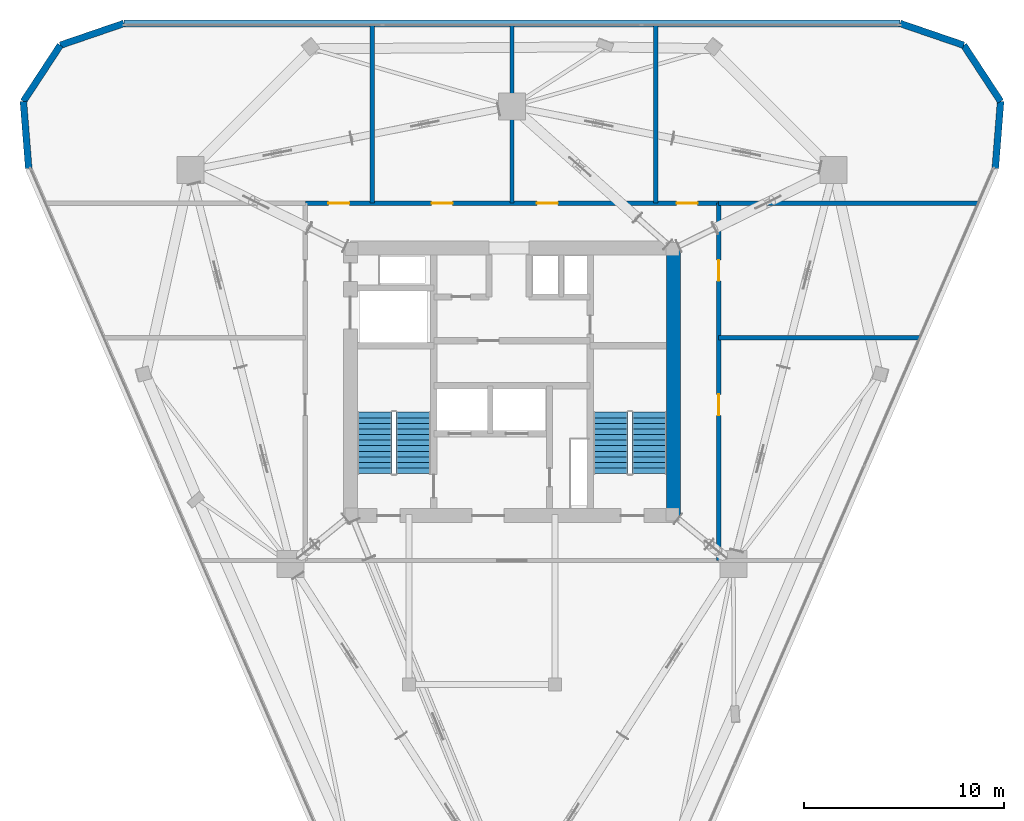
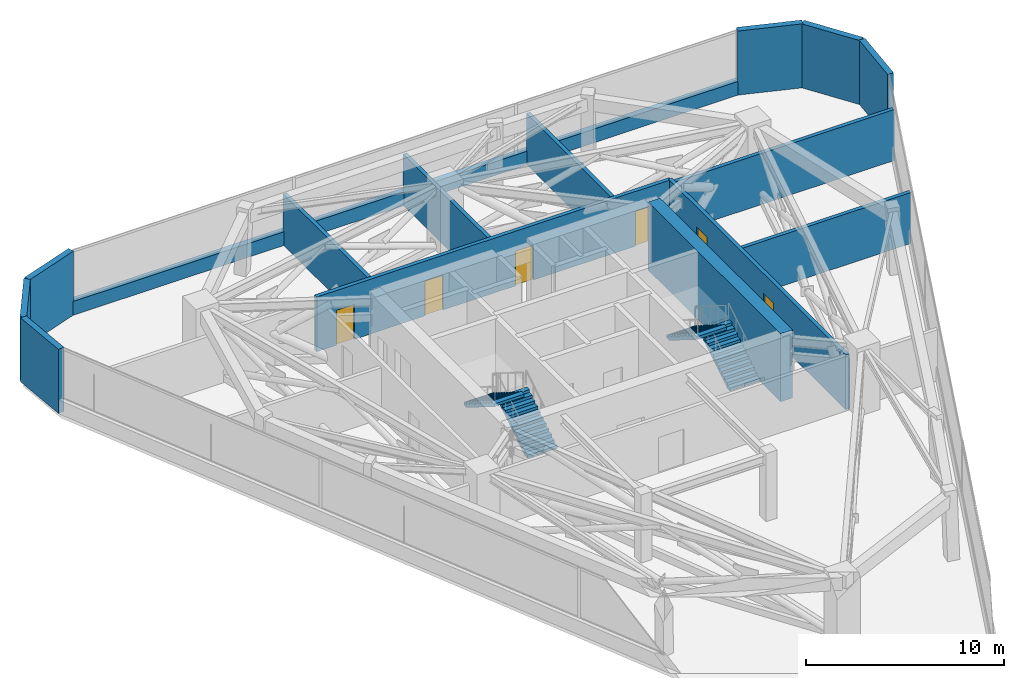
# One storey, part 11 of 12: 15 walls, 6 doors, 4 stair flights, 6 openings, 2 elements without a shape of their own.
"""IFC4 building model written with IfcOpenShell, lengths in metres."""

from ifc_helpers import new_model, si_unit, direction, frame, frame_2d, origin, place, context, subcontext, project, spatial, polyline, rectangle, outline, extrude, material, layer, layer_set, type_object, element, fill, aggregate, save


model = new_model("IFC4")

# Units and contexts
model_context = context("Model", 3, precision=1e-05, world=origin(), true_north=direction((0.0, 1.0)))
body_context = subcontext(model_context, "Body", "Model", "MODEL_VIEW")
ifc_project = project(units=[si_unit("LENGTHUNIT", "METRE"), si_unit("AREAUNIT", "SQUARE_METRE"), si_unit("VOLUMEUNIT", "CUBIC_METRE"), si_unit("PLANEANGLEUNIT", "RADIAN"), si_unit("MASSUNIT", "GRAM", prefix="KILO")], contexts=[model_context])

# Site, building, storey
site_placement = place(None, origin())
site = spatial("IfcSite", under=ifc_project, at=site_placement, CompositionType="ELEMENT")
building_placement = place(site_placement, origin())
building = spatial("IfcBuilding", under=site, at=building_placement, Name="Talyreon Biosciences Tower", CompositionType="ELEMENT")
storey_placement = place(building_placement, frame((0.0, 0.0, 227.39990234375)))
storey = spatial("IfcBuildingStorey", under=building, at=storey_placement, Name="L60", CompositionType="ELEMENT", Elevation=227.39990234375)

# Walls
ifc_material_1 = material(Name="Concrete C50/60", Category="concrete")
ifc_layer_1 = layer(ifc_material_1, 0.699951171875)
ifc_layer_set_1 = layer_set([ifc_layer_1], Name="Concrete C50/60")
wall_type_1 = type_object("IfcWallType", Name="CoreShearWall_700", PredefinedType="SHEAR", material=ifc_layer_set_1)
wall_1_placement = place(storey_placement, frame((74.10009765625, 61.300048828125, 0.0), z_axis=(0.0, 0.0, 1.0), x_axis=(0.0, 1.0, 0.0)))
element("IfcWall", 1, at=wall_1_placement, inside=storey, type_object=wall_type_1, Name="L60 Core Shear Wall E", PredefinedType="SHEAR", context=body_context, shape_type="SweptSolid", body=[
    extrude(rectangle(XDim=13.39990234375, YDim=0.699951171875, at=frame_2d((6.699951171875, 0.0))), origin(), (0.0, 0.0, 1.0), 4.2001953125),
])
ifc_material_2 = material(Name="Gypsum fireboard acoustic stud", Category="gypsum")
ifc_layer_2 = layer(ifc_material_2, 0.219970703125)
ifc_layer_set_2 = layer_set([ifc_layer_2], Name="Gypsum fireboard acoustic stud")
wall_type_2 = type_object("IfcWallType", Name="CorridorRatedPartition_220", PredefinedType="PARTITIONING", material=ifc_layer_set_2)
for number, where, z_axis, x_axis, name in (
    (2, (59.0, 76.949951171875, 0.0), (0.0, 0.0, 1.0), (0.0, 1.0, 0.0), "L60 Interior Wall IW-L60-ND1"),
    (3, (66.0, 76.949951171875, 0.0), (0.0, 0.0, 1.0), (0.0, 1.0, 0.0), "L60 Interior Wall IW-L60-ND2"),
    (4, (73.199951171875, 76.949951171875, 0.0), (0.0, 0.0, 1.0), (0.0, 1.0, 0.0), "L60 Interior Wall IW-L60-ND3"),
):
    element("IfcWall", number, at=place(storey_placement, frame(where, z_axis=z_axis, x_axis=x_axis)), inside=storey, type_object=wall_type_2, Name=name, PredefinedType="PARTITIONING", context=body_context, shape_type="SweptSolid", body=[
        extrude(rectangle(XDim=8.91650390625, YDim=0.219970703125, at=frame_2d((4.458251953125, 0.0))), origin(), (0.0, 0.0, 1.0), 3.150146484375),
    ])
wall_2_placement = place(storey_placement, frame((76.35009765625, 76.949951171875, 0.0), z_axis=(0.0, 0.0, 1.0), x_axis=(1.0, 0.0, 0.0)))
element("IfcWall", 5, at=wall_2_placement, inside=storey, type_object=wall_type_2, Name="L60 Interior Wall IW-L60-NDIV-NE", PredefinedType="PARTITIONING", context=body_context, shape_type="SweptSolid", body=[
    extrude(rectangle(XDim=13.0107421875, YDim=0.219970703125, at=frame_2d((6.50537109375, 0.0))), origin(), (0.0, 0.0, 1.0), 3.150146484375),
])
wall_3_placement = place(storey_placement, frame((76.35009765625, 70.199951171875, 0.0), z_axis=(0.0, 0.0, 1.0), x_axis=(1.0, 0.0, 0.0)))
element("IfcWall", 6, at=wall_3_placement, inside=storey, type_object=wall_type_2, Name="L60 Interior Wall IW-L60-ED1", PredefinedType="PARTITIONING", context=body_context, shape_type="SweptSolid", body=[
    extrude(rectangle(XDim=10.081298828125, YDim=0.219970703125, at=frame_2d((5.04052734375, 0.0))), origin(), (0.0, 0.0, 1.0), 3.150146484375),
])

# Wall, openings, doors
wall_4_placement = place(storey_placement, frame((76.35009765625, 59.050048828125, 0.0), z_axis=(0.0, 0.0, 1.0), x_axis=(0.0, 1.0, 0.0)))
wall_4 = element("IfcWall", 7, at=wall_4_placement, inside=storey, type_object=wall_type_2, Name="L60 Interior Wall IW-L60-PC-E", PredefinedType="PARTITIONING", context=body_context, shape_type="SweptSolid", body=[
    extrude(rectangle(XDim=17.89990234375, YDim=0.219970703125, at=frame_2d((8.949951171875, 0.0))), origin(), (0.0, 0.0, 1.0), 3.380126953125),
])
opening_1_placement = place(wall_4_placement, frame((7.264892578125, 0.0, 0.0)))
opening_1 = element("IfcOpeningElement", 8, at=opening_1_placement, cuts=wall_4, Name="Opening DR-L60-PL-EB", PredefinedType="OPENING", context=body_context, shape_type="SweptSolid", body=[
    extrude(rectangle(XDim=1.050048828125, YDim=2.14990234375, at=frame_2d((0.52490234375, 1.074951171875))), frame((0.0, 0.119873046875, 0.0), z_axis=(0.0, -1.0, 0.0), x_axis=(1.0, 0.0, 0.0)), (0.0, 0.0, 1.0), 0.239990234375),
])
opening_2_placement = place(wall_4_placement, frame((14.0, 0.0, 0.0)))
opening_2 = element("IfcOpeningElement", 9, at=opening_2_placement, cuts=wall_4, Name="Opening DR-L60-PL-EA", PredefinedType="OPENING", context=body_context, shape_type="SweptSolid", body=[
    extrude(rectangle(XDim=1.050048828125, YDim=2.14990234375, at=frame_2d((0.52490234375, 1.074951171875))), frame((0.0, 0.119873046875, 0.0), z_axis=(0.0, -1.0, 0.0), x_axis=(1.0, 0.0, 0.0)), (0.0, 0.0, 1.0), 0.239990234375),
])
ifc_material_3 = material(Name="Acoustic timber-core laboratory door", Category="wood")
door_type = type_object("IfcDoorType", Name="DryLabSingleDoor_1050x2150", OperationType="NOTDEFINED", PredefinedType="DOOR", material=ifc_material_3)
door_1_placement = place(opening_1_placement, origin())
door_1 = element("IfcDoor", 10, at=door_1_placement, inside=storey, type_object=door_type, Name="L60 Interior Door DR-L60-PL-EB", OperationType="SINGLE_SWING_RIGHT", OverallHeight=2.14990234375, OverallWidth=1.050048828125, PredefinedType="DOOR", context=body_context, shape_type="SweptSolid", body=[
    extrude(rectangle(XDim=1.050048828125, YDim=2.14990234375, at=frame_2d((0.52490234375, 1.074951171875))), frame((0.0, 0.02490234375, 0.0), z_axis=(0.0, -1.0, 0.0), x_axis=(1.0, 0.0, 0.0)), (0.0, 0.0, 1.0), 0.050048828125),
])
fill(opening_1, door_1)
door_2_placement = place(opening_2_placement, origin())
door_2 = element("IfcDoor", 11, at=door_2_placement, inside=storey, type_object=door_type, Name="L60 Interior Door DR-L60-PL-EA", OperationType="SINGLE_SWING_LEFT", OverallHeight=2.14990234375, OverallWidth=1.050048828125, PredefinedType="DOOR", context=body_context, shape_type="SweptSolid", body=[
    extrude(rectangle(XDim=1.050048828125, YDim=2.14990234375, at=frame_2d((0.52490234375, 1.074951171875))), frame((0.0, 0.02490234375, 0.0), z_axis=(0.0, -1.0, 0.0), x_axis=(1.0, 0.0, 0.0)), (0.0, 0.0, 1.0), 0.050048828125),
])
fill(opening_2, door_2)

wall_5_placement = place(storey_placement, frame((55.64990234375, 76.949951171875, 0.0), z_axis=(0.0, 0.0, 1.0), x_axis=(1.0, 0.0, 0.0)))
wall_5 = element("IfcWall", 12, at=wall_5_placement, inside=storey, type_object=wall_type_2, Name="L60 Interior Wall IW-L60-PC-N", PredefinedType="PARTITIONING", context=body_context, shape_type="SweptSolid", body=[
    extrude(rectangle(XDim=20.7001953125, YDim=0.219970703125, at=frame_2d((10.35009765625, 0.0))), origin(), (0.0, 0.0, 1.0), 3.380126953125),
])
opening_3_placement = place(wall_5_placement, frame((1.14990234375, 0.0, 0.0)))
opening_3 = element("IfcOpeningElement", 13, at=opening_3_placement, cuts=wall_5, Name="Opening DR-L60-PL-NWA", PredefinedType="OPENING", context=body_context, shape_type="SweptSolid", body=[
    extrude(rectangle(XDim=1.050048828125, YDim=2.14990234375, at=frame_2d((0.52490234375, 1.074951171875))), frame((0.0, 0.119873046875, 0.0), z_axis=(0.0, -1.0, 0.0), x_axis=(1.0, 0.0, 0.0)), (0.0, 0.0, 1.0), 0.239990234375),
])
opening_4_placement = place(wall_5_placement, frame((6.324951171875, 0.0, 0.0)))
opening_4 = element("IfcOpeningElement", 14, at=opening_4_placement, cuts=wall_5, Name="Opening DR-L60-PL-NWB", PredefinedType="OPENING", context=body_context, shape_type="SweptSolid", body=[
    extrude(rectangle(XDim=1.050048828125, YDim=2.14990234375, at=frame_2d((0.52490234375, 1.074951171875))), frame((0.0, 0.119873046875, 0.0), z_axis=(0.0, -1.0, 0.0), x_axis=(1.0, 0.0, 0.0)), (0.0, 0.0, 1.0), 0.239990234375),
])
opening_5_placement = place(wall_5_placement, frame((11.60205078125, 0.0, 0.0)))
opening_5 = element("IfcOpeningElement", 15, at=opening_5_placement, cuts=wall_5, Name="Opening DR-L60-PL-NEA", PredefinedType="OPENING", context=body_context, shape_type="SweptSolid", body=[
    extrude(rectangle(XDim=1.050048828125, YDim=2.14990234375, at=frame_2d((0.52490234375, 1.074951171875))), frame((0.0, 0.119873046875, 0.0), z_axis=(0.0, -1.0, 0.0), x_axis=(1.0, 0.0, 0.0)), (0.0, 0.0, 1.0), 0.239990234375),
])
opening_6_placement = place(wall_5_placement, frame((18.60009765625, 0.0, 0.0)))
opening_6 = element("IfcOpeningElement", 16, at=opening_6_placement, cuts=wall_5, Name="Opening DR-L60-PL-NEB", PredefinedType="OPENING", context=body_context, shape_type="SweptSolid", body=[
    extrude(rectangle(XDim=1.050048828125, YDim=2.14990234375, at=frame_2d((0.52490234375, 1.074951171875))), frame((0.0, 0.119873046875, 0.0), z_axis=(0.0, -1.0, 0.0), x_axis=(1.0, 0.0, 0.0)), (0.0, 0.0, 1.0), 0.239990234375),
])
door_3_placement = place(opening_3_placement, origin())
door_3 = element("IfcDoor", 17, at=door_3_placement, inside=storey, type_object=door_type, Name="L60 Interior Door DR-L60-PL-NWA", OperationType="SINGLE_SWING_LEFT", OverallHeight=2.14990234375, OverallWidth=1.050048828125, PredefinedType="DOOR", context=body_context, shape_type="SweptSolid", body=[
    extrude(rectangle(XDim=1.050048828125, YDim=2.14990234375, at=frame_2d((0.52490234375, 1.074951171875))), frame((0.0, 0.02490234375, 0.0), z_axis=(0.0, -1.0, 0.0), x_axis=(1.0, 0.0, 0.0)), (0.0, 0.0, 1.0), 0.050048828125),
])
fill(opening_3, door_3)
door_4_placement = place(opening_4_placement, origin())
door_4 = element("IfcDoor", 18, at=door_4_placement, inside=storey, type_object=door_type, Name="L60 Interior Door DR-L60-PL-NWB", OperationType="SINGLE_SWING_LEFT", OverallHeight=2.14990234375, OverallWidth=1.050048828125, PredefinedType="DOOR", context=body_context, shape_type="SweptSolid", body=[
    extrude(rectangle(XDim=1.050048828125, YDim=2.14990234375, at=frame_2d((0.52490234375, 1.074951171875))), frame((0.0, 0.02490234375, 0.0), z_axis=(0.0, -1.0, 0.0), x_axis=(1.0, 0.0, 0.0)), (0.0, 0.0, 1.0), 0.050048828125),
])
fill(opening_4, door_4)
door_5_placement = place(opening_5_placement, origin())
door_5 = element("IfcDoor", 19, at=door_5_placement, inside=storey, type_object=door_type, Name="L60 Interior Door DR-L60-PL-NEA", OperationType="SINGLE_SWING_RIGHT", OverallHeight=2.14990234375, OverallWidth=1.050048828125, PredefinedType="DOOR", context=body_context, shape_type="SweptSolid", body=[
    extrude(rectangle(XDim=1.050048828125, YDim=2.14990234375, at=frame_2d((0.52490234375, 1.074951171875))), frame((0.0, 0.02490234375, 0.0), z_axis=(0.0, -1.0, 0.0), x_axis=(1.0, 0.0, 0.0)), (0.0, 0.0, 1.0), 0.050048828125),
])
fill(opening_5, door_5)
door_6_placement = place(opening_6_placement, origin())
door_6 = element("IfcDoor", 20, at=door_6_placement, inside=storey, type_object=door_type, Name="L60 Interior Door DR-L60-PL-NEB", OperationType="SINGLE_SWING_LEFT", OverallHeight=2.14990234375, OverallWidth=1.050048828125, PredefinedType="DOOR", context=body_context, shape_type="SweptSolid", body=[
    extrude(rectangle(XDim=1.050048828125, YDim=2.14990234375, at=frame_2d((0.52490234375, 1.074951171875))), frame((0.0, 0.02490234375, 0.0), z_axis=(0.0, -1.0, 0.0), x_axis=(1.0, 0.0, 0.0)), (0.0, 0.0, 1.0), 0.050048828125),
])
fill(opening_6, door_6)

# Walls
ifc_material_4 = material(Name="Precast concrete C45/55", Category="concrete")
ifc_layer_3 = layer(ifc_material_4, 0.340087890625)
ifc_layer_set_3 = layer_set([ifc_layer_3], Name="Precast concrete C45/55")
wall_type_3 = type_object("IfcWallType", Name="PrecastConcreteSpandrelWall_340", PredefinedType="STANDARD", material=ifc_layer_set_3)
for number, where, z_axis, x_axis, name in (
    (21, (41.795166015625, 78.681396484375, 0.0), (0.0, 0.0, 1.0), (-0.079316248105, 0.996849503579, 0.0), "L60 Rounded-Corner Concrete Pier 01"),
    (22, (41.52783203125, 82.041259765625, 0.0), (0.0, 0.0, 1.0), (0.54858365387, 0.836095673177, 0.0), "L60 Rounded-Corner Concrete Pier 02"),
):
    element("IfcWall", number, at=place(storey_placement, frame(where, z_axis=z_axis, x_axis=x_axis)), inside=storey, type_object=wall_type_3, Name=name, PredefinedType="STANDARD", context=body_context, shape_type="SweptSolid", body=[
        extrude(rectangle(XDim=3.370361328125, YDim=0.340087890625, at=frame_2d((1.68505859375, 0.0))), origin(), (0.0, 0.0, 1.0), 3.9501953125),
    ])
wall_6_placement = place(storey_placement, frame((43.376708984375, 84.859130859375, 0.0), z_axis=(0.0, 0.0, 1.0), x_axis=(0.946036065973, 0.324061355115, 0.0)))
element("IfcWall", 23, at=wall_6_placement, inside=storey, type_object=wall_type_3, Name="L60 Rounded-Corner Concrete Pier 03", PredefinedType="STANDARD", context=body_context, shape_type="SweptSolid", body=[
    extrude(rectangle(XDim=3.37060546875, YDim=0.340087890625, at=frame_2d((1.685302734375, 0.0))), origin(), (0.0, 0.0, 1.0), 3.9501953125),
])
wall_7_placement = place(storey_placement, frame((46.5654296875, 85.951416015625, 0.0), z_axis=(0.0, 0.0, 1.0), x_axis=(1.0, 0.0, 0.0)))
element("IfcWall", 24, at=wall_7_placement, inside=storey, type_object=wall_type_3, Name="L60 Expressed Concrete Sill Wall 04", PredefinedType="STANDARD", context=body_context, shape_type="SweptSolid", body=[
    extrude(rectangle(XDim=38.869140625, YDim=0.340087890625, at=frame_2d((19.4345703125, 0.0))), origin(), (0.0, 0.0, 1.0), 0.85009765625),
])
wall_8_placement = place(storey_placement, frame((85.4345703125, 85.951416015625, 0.0), z_axis=(0.0, 0.0, 1.0), x_axis=(0.946036065973, -0.324061355115, 0.0)))
element("IfcWall", 25, at=wall_8_placement, inside=storey, type_object=wall_type_3, Name="L60 Rounded-Corner Concrete Pier 05", PredefinedType="STANDARD", context=body_context, shape_type="SweptSolid", body=[
    extrude(rectangle(XDim=3.37060546875, YDim=0.340087890625, at=frame_2d((1.685302734375, 0.0))), origin(), (0.0, 0.0, 1.0), 3.9501953125),
])
for number, where, z_axis, x_axis, name in (
    (26, (88.623291015625, 84.859130859375, 0.0), (0.0, 0.0, 1.0), (0.54858365387, -0.836095673177, 0.0), "L60 Rounded-Corner Concrete Pier 06"),
    (27, (90.47216796875, 82.041259765625, 0.0), (0.0, 0.0, 1.0), (-0.079316248105, -0.996849503579, 0.0), "L60 Rounded-Corner Concrete Pier 07"),
):
    element("IfcWall", number, at=place(storey_placement, frame(where, z_axis=z_axis, x_axis=x_axis)), inside=storey, type_object=wall_type_3, Name=name, PredefinedType="STANDARD", context=body_context, shape_type="SweptSolid", body=[
        extrude(rectangle(XDim=3.370361328125, YDim=0.340087890625, at=frame_2d((1.68505859375, 0.0))), origin(), (0.0, 0.0, 1.0), 3.9501953125),
    ])

# Stair, stair flights
ifc_material_5 = material(Name="Concrete C40/50", Category="concrete")
stair_type = type_object("IfcStairType", Name="DoglegEscapeStair_4200", PredefinedType="HALF_TURN_STAIR", material=ifc_material_5)
stair_1_placement = place(storey_placement, origin())
stair_1 = element("IfcStair", 28, at=stair_1_placement, inside=storey, type_object=stair_type, Name="L60 Core Escape Stair 1", PredefinedType="HALF_TURN_STAIR")
stair_flight_type = type_object("IfcStairFlightType", Name="PrecastStairFlight_4200", PredefinedType="STRAIGHT", material=ifc_material_5)
stair_flight_1_placement = place(storey_placement, frame((61.06005859375, 63.39990234375, 0.0), z_axis=(0.0, 0.0, 1.0), x_axis=(0.0, 1.0, 0.0)))
stair_flight_1 = element("IfcStairFlight", 29, at=stair_flight_1_placement, type_object=stair_flight_type, Name="ST-1 flight 1", NumberOfRisers=12, NumberOfTreads=11, PredefinedType="STRAIGHT", RiserHeight=0.175, TreadLength=0.28, context=body_context, shape_type="SweptSolid", body=[
    extrude(outline(polyline([(0.0, 0.0), (0.0, 0.175048828125), (0.280029296875, 0.175048828125), (0.280029296875, 0.35009765625), (0.56005859375, 0.35009765625), (0.56005859375, 0.52490234375), (0.840087890625, 0.52490234375), (0.840087890625, 0.699951171875), (1.1201171875, 0.699951171875), (1.1201171875, 0.875), (1.39990234375, 0.875), (1.39990234375, 1.050048828125), (1.679931640625, 1.050048828125), (1.679931640625, 1.22509765625), (1.9599609375, 1.22509765625), (1.9599609375, 1.39990234375), (2.239990234375, 1.39990234375), (2.239990234375, 1.574951171875), (2.52001953125, 1.574951171875), (2.52001953125, 1.75), (2.800048828125, 1.75), (2.800048828125, 1.925048828125), (3.080078125, 1.925048828125), (3.080078125, 2.10009765625), (3.080078125, 1.748291015625), (0.28271484375, 0.0), (0.0, 0.0)])), frame((0.0, 0.8701171875, 0.0), z_axis=(0.0, -1.0, 0.0), x_axis=(1.0, 0.0, 0.0)), (0.0, 0.0, 1.0), 1.739990234375),
])
stair_flight_2_placement = place(storey_placement, frame((59.1201171875, 66.47998046875, 2.10009765625), z_axis=(0.0, 0.0, 1.0), x_axis=(0.0, -1.0, 0.0)))
stair_flight_2 = element("IfcStairFlight", 30, at=stair_flight_2_placement, type_object=stair_flight_type, Name="ST-1 flight 2", NumberOfRisers=12, NumberOfTreads=11, PredefinedType="STRAIGHT", RiserHeight=0.175, TreadLength=0.28, context=body_context, shape_type="SweptSolid", body=[
    extrude(outline(polyline([(0.0, 0.0), (0.0, 0.175048828125), (0.280029296875, 0.175048828125), (0.280029296875, 0.35009765625), (0.56005859375, 0.35009765625), (0.56005859375, 0.52490234375), (0.840087890625, 0.52490234375), (0.840087890625, 0.699951171875), (1.1201171875, 0.699951171875), (1.1201171875, 0.875), (1.39990234375, 0.875), (1.39990234375, 1.050048828125), (1.679931640625, 1.050048828125), (1.679931640625, 1.22509765625), (1.9599609375, 1.22509765625), (1.9599609375, 1.39990234375), (2.239990234375, 1.39990234375), (2.239990234375, 1.574951171875), (2.52001953125, 1.574951171875), (2.52001953125, 1.75), (2.800048828125, 1.75), (2.800048828125, 1.925048828125), (3.080078125, 1.925048828125), (3.080078125, 2.10009765625), (3.080078125, 1.748291015625), (0.28271484375, 0.0), (0.0, 0.0)])), frame((0.0, 0.8701171875, 0.0), z_axis=(0.0, -1.0, 0.0), x_axis=(1.0, 0.0, 0.0)), (0.0, 0.0, 1.0), 1.739990234375),
])
aggregate(stair_1, [stair_flight_1, stair_flight_2])

stair_2_placement = place(storey_placement, origin())
stair_2 = element("IfcStair", 31, at=stair_2_placement, inside=storey, type_object=stair_type, Name="L60 Core Escape Stair 2", PredefinedType="HALF_TURN_STAIR")
stair_flight_3_placement = place(storey_placement, frame((72.8798828125, 63.39990234375, 0.0), z_axis=(0.0, 0.0, 1.0), x_axis=(0.0, 1.0, 0.0)))
stair_flight_3 = element("IfcStairFlight", 32, at=stair_flight_3_placement, type_object=stair_flight_type, Name="ST-2 flight 1", NumberOfRisers=12, NumberOfTreads=11, PredefinedType="STRAIGHT", RiserHeight=0.175, TreadLength=0.28, context=body_context, shape_type="SweptSolid", body=[
    extrude(outline(polyline([(0.0, 0.0), (0.0, 0.175048828125), (0.280029296875, 0.175048828125), (0.280029296875, 0.35009765625), (0.56005859375, 0.35009765625), (0.56005859375, 0.52490234375), (0.840087890625, 0.52490234375), (0.840087890625, 0.699951171875), (1.1201171875, 0.699951171875), (1.1201171875, 0.875), (1.39990234375, 0.875), (1.39990234375, 1.050048828125), (1.679931640625, 1.050048828125), (1.679931640625, 1.22509765625), (1.9599609375, 1.22509765625), (1.9599609375, 1.39990234375), (2.239990234375, 1.39990234375), (2.239990234375, 1.574951171875), (2.52001953125, 1.574951171875), (2.52001953125, 1.75), (2.800048828125, 1.75), (2.800048828125, 1.925048828125), (3.080078125, 1.925048828125), (3.080078125, 2.10009765625), (3.080078125, 1.748291015625), (0.28271484375, 0.0), (0.0, 0.0)])), frame((0.0, 0.8701171875, 0.0), z_axis=(0.0, -1.0, 0.0), x_axis=(1.0, 0.0, 0.0)), (0.0, 0.0, 1.0), 1.739990234375),
])
stair_flight_4_placement = place(storey_placement, frame((70.93994140625, 66.47998046875, 2.10009765625), z_axis=(0.0, 0.0, 1.0), x_axis=(0.0, -1.0, 0.0)))
stair_flight_4 = element("IfcStairFlight", 33, at=stair_flight_4_placement, type_object=stair_flight_type, Name="ST-2 flight 2", NumberOfRisers=12, NumberOfTreads=11, PredefinedType="STRAIGHT", RiserHeight=0.175, TreadLength=0.28, context=body_context, shape_type="SweptSolid", body=[
    extrude(outline(polyline([(0.0, 0.0), (0.0, 0.175048828125), (0.280029296875, 0.175048828125), (0.280029296875, 0.35009765625), (0.56005859375, 0.35009765625), (0.56005859375, 0.52490234375), (0.840087890625, 0.52490234375), (0.840087890625, 0.699951171875), (1.1201171875, 0.699951171875), (1.1201171875, 0.875), (1.39990234375, 0.875), (1.39990234375, 1.050048828125), (1.679931640625, 1.050048828125), (1.679931640625, 1.22509765625), (1.9599609375, 1.22509765625), (1.9599609375, 1.39990234375), (2.239990234375, 1.39990234375), (2.239990234375, 1.574951171875), (2.52001953125, 1.574951171875), (2.52001953125, 1.75), (2.800048828125, 1.75), (2.800048828125, 1.925048828125), (3.080078125, 1.925048828125), (3.080078125, 2.10009765625), (3.080078125, 1.748291015625), (0.28271484375, 0.0), (0.0, 0.0)])), frame((0.0, 0.8701171875, 0.0), z_axis=(0.0, -1.0, 0.0), x_axis=(1.0, 0.0, 0.0)), (0.0, 0.0, 1.0), 1.739990234375),
])
aggregate(stair_2, [stair_flight_3, stair_flight_4])

save(model, "model.ifc")
